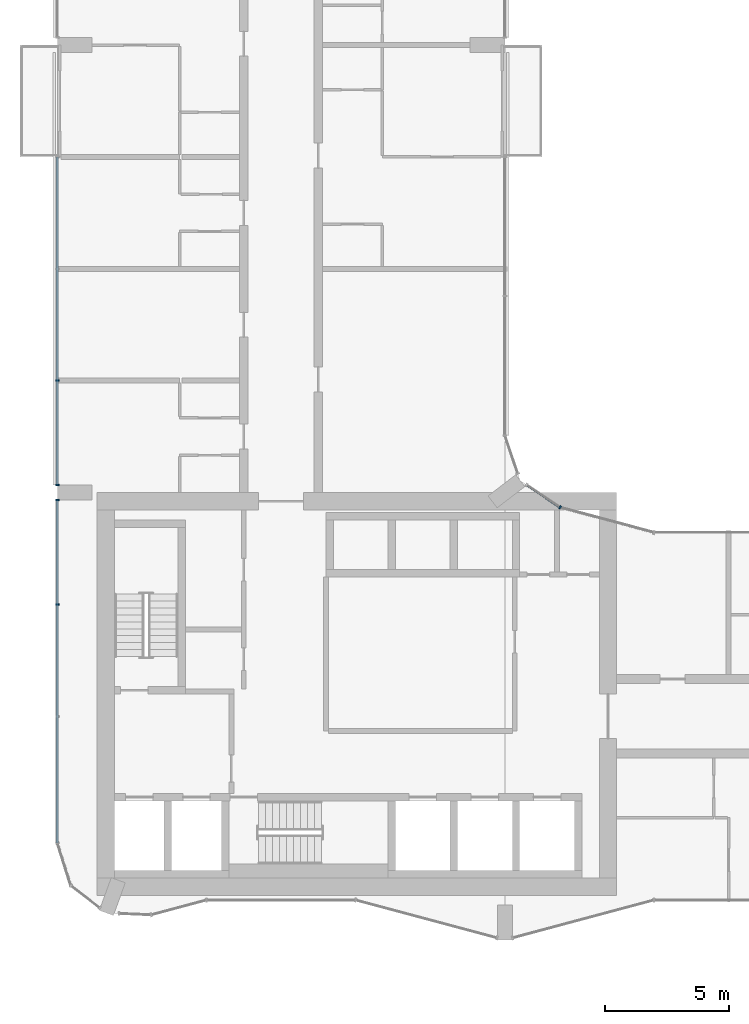
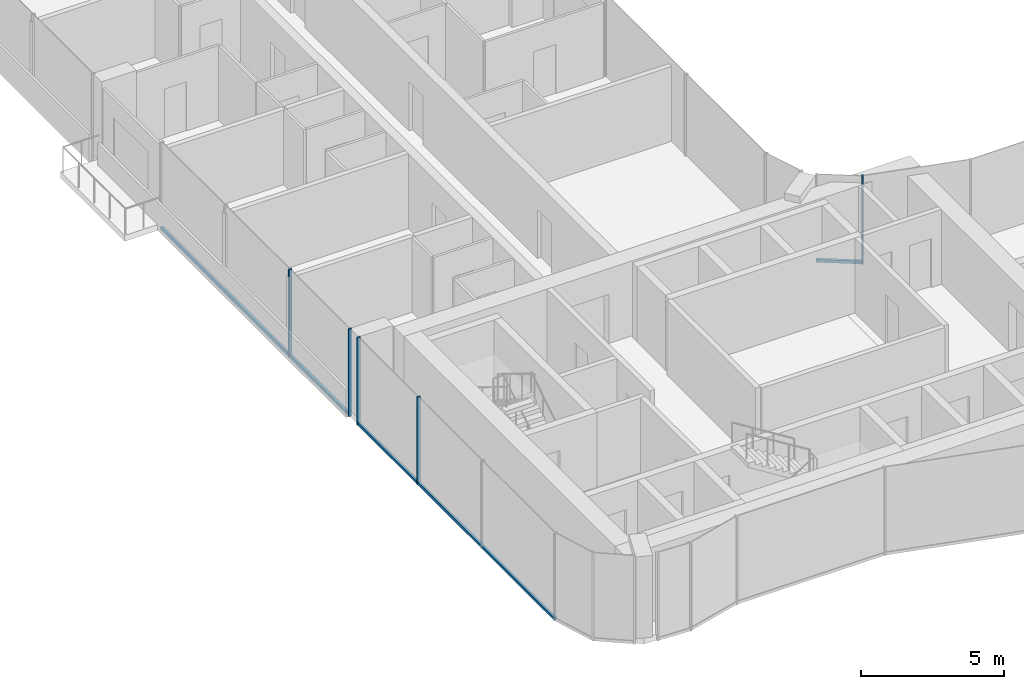
# One storey, part 3 of 22: 8 members, 3 elements without a shape of their own.
"""IFC4 building model written with IfcOpenShell, lengths in metres."""

from ifc_helpers import new_model, si_unit, direction, frame, origin, origin_2d, place, context, subcontext, project, spatial, rectangle, extrude, material, layer, layer_set, material_profile, profile_set, type_object, element, aggregate, save


model = new_model("IFC4")

# Units and contexts
model_context = context("Model", 3, precision=1e-05, world=origin(), true_north=direction((0.0, 1.0)))
body_context = subcontext(model_context, "Body", "Model", "MODEL_VIEW")
ifc_project = project(units=[si_unit("LENGTHUNIT", "METRE"), si_unit("AREAUNIT", "SQUARE_METRE"), si_unit("VOLUMEUNIT", "CUBIC_METRE"), si_unit("PLANEANGLEUNIT", "RADIAN"), si_unit("MASSUNIT", "GRAM", prefix="KILO")], contexts=[model_context])

# Site, building, storey
site_placement = place(None, origin())
site = spatial("IfcSite", under=ifc_project, at=site_placement, CompositionType="ELEMENT")
building_placement = place(site_placement, origin())
building = spatial("IfcBuilding", under=site, at=building_placement, Name="Plateau Cross Towers", CompositionType="ELEMENT")
storey_placement = place(building_placement, frame((0.0, 0.0, 68.800048828125)))
storey = spatial("IfcBuildingStorey", under=building, at=storey_placement, Name="L17", CompositionType="ELEMENT", Elevation=68.800048828125)

# Curtain wall, member
ifc_material_1 = material(Name="Dark low-iron glass", Category="glass")
ifc_layer = layer(ifc_material_1, 0.239990234375)
ifc_layer_set = layer_set([ifc_layer], Name="Dark low-iron glass")
curtain_wall_type = type_object("IfcCurtainWallType", Name="Curtain wall flush unitised CW-B", PredefinedType="NOTDEFINED", material=ifc_layer_set)
curtain_wall_1_placement = place(storey_placement, origin())
curtain_wall_1 = element("IfcCurtainWall", 1, at=curtain_wall_1_placement, inside=storey, type_object=curtain_wall_type, Name="ENV/A/L17/A202_174", PredefinedType="NOTDEFINED")
ifc_material_2 = material(Name="Black anodised aluminium", Category="aluminium")
ifc_material_profile_1 = material_profile(ifc_material_2, rectangle(XDim=0.06005859375, YDim=0.139892578125, at=origin_2d()), Name="MULLION 60x140")
ifc_profile_set_1 = profile_set([ifc_material_profile_1], Name="Black anodised aluminium")
member_type_1 = type_object("IfcMemberType", Name="Mullion 60x140 flush unitised", PredefinedType="MULLION", material=ifc_profile_set_1)
member_1_placement = place(storey_placement, frame((20.223876953125, 17.404296875, -0.25), z_axis=(0.0, 0.0, 1.0), x_axis=(-0.831521253329, 0.555492938984, 0.0)))
member_1 = element("IfcMember", 2, at=member_1_placement, type_object=member_type_1, Name="CW-B mullion 1", PredefinedType="MULLION", context=body_context, shape_type="SweptSolid", body=[
    extrude(rectangle(XDim=0.06005859375, YDim=0.139892578125, at=origin_2d()), origin(), (0.0, 0.0, 1.0), 3.75),
])

# Curtain wall, members
curtain_wall_2_placement = place(storey_placement, origin())
curtain_wall_2 = element("IfcCurtainWall", 3, at=curtain_wall_2_placement, inside=storey, type_object=curtain_wall_type, Name="ENV/A/L17/A0_315", PredefinedType="NOTDEFINED")
member_2_placement = place(storey_placement, frame((0.0, 22.5, -0.25), z_axis=(0.0, 0.0, 1.0), x_axis=(0.0, -1.0, 0.0)))
member_2 = element("IfcMember", 4, at=member_2_placement, type_object=member_type_1, Name="CW-B mullion 3", PredefinedType="MULLION", context=body_context, shape_type="SweptSolid", body=[
    extrude(rectangle(XDim=0.06005859375, YDim=0.139892578125, at=origin_2d()), origin(), (0.0, 0.0, 1.0), 3.75),
])
member_3_placement = place(storey_placement, frame((0.0, 18.300048828125, -0.25), z_axis=(0.0, 0.0, 1.0), x_axis=(0.0, -1.0, 0.0)))
member_3 = element("IfcMember", 5, at=member_3_placement, type_object=member_type_1, Name="CW-B mullion 4", PredefinedType="MULLION", context=body_context, shape_type="SweptSolid", body=[
    extrude(rectangle(XDim=0.06005859375, YDim=0.139892578125, at=origin_2d()), origin(), (0.0, 0.0, 1.0), 3.75),
])

curtain_wall_3_placement = place(storey_placement, origin())
curtain_wall_3 = element("IfcCurtainWall", 6, at=curtain_wall_3_placement, inside=storey, type_object=curtain_wall_type, Name="ENV/A/L17/A0_177", PredefinedType="NOTDEFINED")
member_4_placement = place(storey_placement, frame((0.0, 17.699951171875, -0.25), z_axis=(0.0, 0.0, 1.0), x_axis=(0.0, -1.0, 0.0)))
member_4 = element("IfcMember", 7, at=member_4_placement, type_object=member_type_1, Name="CW-B mullion 1", PredefinedType="MULLION", context=body_context, shape_type="SweptSolid", body=[
    extrude(rectangle(XDim=0.06005859375, YDim=0.139892578125, at=origin_2d()), origin(), (0.0, 0.0, 1.0), 3.75),
])
member_5_placement = place(storey_placement, frame((0.0, 13.5, -0.25), z_axis=(0.0, 0.0, 1.0), x_axis=(0.0, -1.0, 0.0)))
member_5 = element("IfcMember", 8, at=member_5_placement, type_object=member_type_1, Name="CW-B mullion 2", PredefinedType="MULLION", context=body_context, shape_type="SweptSolid", body=[
    extrude(rectangle(XDim=0.06005859375, YDim=0.139892578125, at=origin_2d()), origin(), (0.0, 0.0, 1.0), 3.75),
])

# Member
ifc_material_profile_2 = material_profile(ifc_material_2, rectangle(XDim=0.10009765625, YDim=0.1201171875, at=origin_2d()), Name="TRANSOM 100x120")
ifc_profile_set_2 = profile_set([ifc_material_profile_2], Name="Black anodised aluminium")
member_type_2 = type_object("IfcMemberType", Name="Transom 100x120 flush unitised", PredefinedType="USERDEFINED", material=ifc_profile_set_2)
member_6_placement = place(storey_placement, frame((20.223876953125, 17.404296875, -0.18994140625), z_axis=(-0.831496402487, 0.555530136582, 0.0), x_axis=(-0.555530136582, -0.831496402487, 0.0)))
member_6 = element("IfcMember", 9, at=member_6_placement, type_object=member_type_2, Name="CW-B transom", ObjectType="TRANSOM", PredefinedType="USERDEFINED", context=body_context, shape_type="SweptSolid", body=[
    extrude(rectangle(XDim=0.10009765625, YDim=0.1201171875, at=origin_2d()), origin(), (0.0, 0.0, 1.0), 1.628662109375),
])

aggregate(curtain_wall_1, [member_1, member_6])

member_7_placement = place(storey_placement, frame((0.0, 31.489990234375, -0.18994140625), z_axis=(0.0, -1.0, 0.0), x_axis=(1.0, 0.0, 0.0)))
member_7 = element("IfcMember", 10, at=member_7_placement, type_object=member_type_2, Name="CW-B transom", ObjectType="TRANSOM", PredefinedType="USERDEFINED", context=body_context, shape_type="SweptSolid", body=[
    extrude(rectangle(XDim=0.10009765625, YDim=0.1201171875, at=origin_2d()), origin(), (0.0, 0.0, 1.0), 13.18994140625),
])

aggregate(curtain_wall_2, [member_2, member_3, member_7])

member_8_placement = place(storey_placement, frame((0.0, 17.699951171875, -0.18994140625), z_axis=(0.0, -1.0, 0.0), x_axis=(1.0, 0.0, 0.0)))
member_8 = element("IfcMember", 11, at=member_8_placement, type_object=member_type_2, Name="CW-B transom", ObjectType="TRANSOM", PredefinedType="USERDEFINED", context=body_context, shape_type="SweptSolid", body=[
    extrude(rectangle(XDim=0.10009765625, YDim=0.1201171875, at=origin_2d()), origin(), (0.0, 0.0, 1.0), 13.790771484375),
])

aggregate(curtain_wall_3, [member_4, member_5, member_8])

save(model, "model.ifc")
